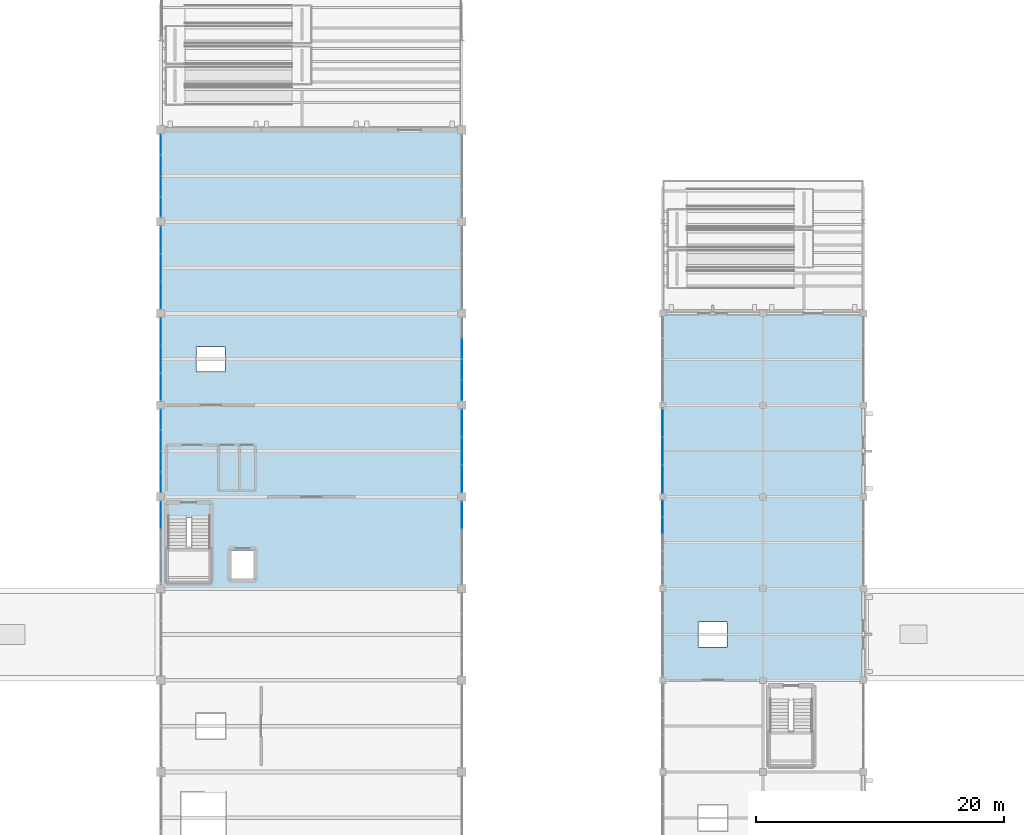
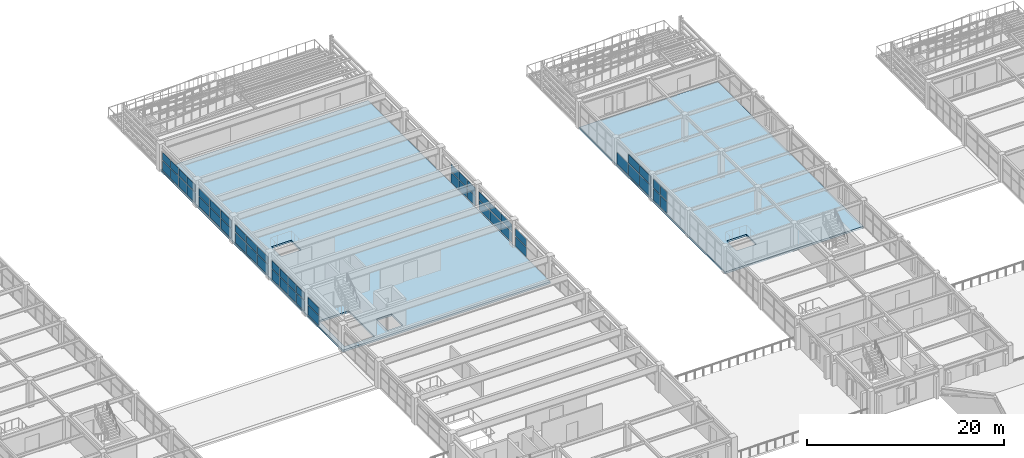
# One storey, part 97 of 121: 53 plates, 2 slabs, 10 elements without a shape of their own.
"""IFC4 building model written with IfcOpenShell, lengths in metres."""

from ifc_helpers import new_model, si_unit, direction, frame, origin, origin_2d, place, context, subcontext, project, spatial, polyline, rectangle, outline, extrude, material, layer, layer_set, type_object, element, aggregate, save


model = new_model("IFC4")

# Units and contexts
model_context = context("Model", 3, precision=1e-05, world=origin(), true_north=direction((0.0, 1.0)))
body_context = subcontext(model_context, "Body", "Model", "MODEL_VIEW")
ifc_project = project(units=[si_unit("LENGTHUNIT", "METRE"), si_unit("AREAUNIT", "SQUARE_METRE"), si_unit("VOLUMEUNIT", "CUBIC_METRE"), si_unit("PLANEANGLEUNIT", "RADIAN"), si_unit("MASSUNIT", "GRAM", prefix="KILO")], contexts=[model_context])

# Site, building, storey
site_placement = place(None, origin())
site = spatial("IfcSite", under=ifc_project, at=site_placement, CompositionType="ELEMENT")
building_placement = place(site_placement, origin())
building = spatial("IfcBuilding", under=site, at=building_placement, Name="Cimatlan Art Gallery", CompositionType="ELEMENT")
storey_placement = place(building_placement, frame((0.0, 0.0, 10.199951171875)))
storey = spatial("IfcBuildingStorey", under=building, at=storey_placement, Name="L02", CompositionType="ELEMENT", Elevation=10.199951171875)

# Curtain wall, plates
ifc_material_1 = material(Name="Anodised bronze unitised curtain wall")
curtain_wall_type_1 = type_object("IfcCurtainWallType", Name="CW-V-06842X02868-B5", PredefinedType="NOTDEFINED", material=ifc_material_1)
curtain_wall_1_placement = place(storey_placement, origin())
curtain_wall_1 = element("IfcCurtainWall", 1, at=curtain_wall_1_placement, inside=storey, type_object=curtain_wall_type_1, Name="CW-L02-14-08-W", PredefinedType="NOTDEFINED")
ifc_material_2 = material(Name="Low-E insulated double glazing", Category="glass")
ifc_layer_1 = layer(ifc_material_2, 0.028076171875)
ifc_layer_set_1 = layer_set([ifc_layer_1], Name="Low-E insulated double glazing")
plate_type_1 = type_object("IfcPlateType", Name="PNL-1310X1078", PredefinedType="CURTAIN_PANEL", material=ifc_layer_set_1)
plate_1_placement = place(storey_placement, frame((115.39990234375, 65.968505859375, 1.66796875), z_axis=(0.0, 0.0, 1.0), x_axis=(0.0, 1.0, 0.0)))
plate_1 = element("IfcPlate", 2, at=plate_1_placement, type_object=plate_type_1, Name="CW-L02-14-08-W-P42", PredefinedType="CURTAIN_PANEL", context=body_context, shape_type="SweptSolid", body=[
    extrude(rectangle(XDim=1.31005859375, YDim=0.028076171875, at=origin_2d()), origin(), (0.0, 0.0, 1.0), 1.077880859375),
])
plate_2_placement = place(storey_placement, frame((115.39990234375, 67.3369140625, 1.66796875), z_axis=(0.0, 0.0, 1.0), x_axis=(0.0, 1.0, 0.0)))
plate_2 = element("IfcPlate", 3, at=plate_2_placement, type_object=plate_type_1, Name="CW-L02-14-08-W-P52", PredefinedType="CURTAIN_PANEL", context=body_context, shape_type="SweptSolid", body=[
    extrude(rectangle(XDim=1.31005859375, YDim=0.028076171875, at=origin_2d()), origin(), (0.0, 0.0, 1.0), 1.077880859375),
])
ifc_layer_2 = layer(ifc_material_2, 0.028076171875)
ifc_layer_set_2 = layer_set([ifc_layer_2], Name="Low-E insulated double glazing")
plate_type_2 = type_object("IfcPlateType", Name="PNL-1310X1422", PredefinedType="CURTAIN_PANEL", material=ifc_layer_set_2)
plate_3_placement = place(storey_placement, frame((115.39990234375, 65.968505859375, 0.1220703125), z_axis=(0.0, 0.0, 1.0), x_axis=(0.0, 1.0, 0.0)))
plate_3 = element("IfcPlate", 4, at=plate_3_placement, type_object=plate_type_2, Name="CW-L02-14-08-W-P41", PredefinedType="CURTAIN_PANEL", context=body_context, shape_type="SweptSolid", body=[
    extrude(rectangle(XDim=1.31005859375, YDim=0.028076171875, at=origin_2d()), origin(), (0.0, 0.0, 1.0), 1.422119140625),
])
plate_4_placement = place(storey_placement, frame((115.39990234375, 67.3369140625, 0.1220703125), z_axis=(0.0, 0.0, 1.0), x_axis=(0.0, 1.0, 0.0)))
plate_4 = element("IfcPlate", 5, at=plate_4_placement, type_object=plate_type_2, Name="CW-L02-14-08-W-P51", PredefinedType="CURTAIN_PANEL", context=body_context, shape_type="SweptSolid", body=[
    extrude(rectangle(XDim=1.31005859375, YDim=0.028076171875, at=origin_2d()), origin(), (0.0, 0.0, 1.0), 1.422119140625),
])
aggregate(curtain_wall_1, [plate_3, plate_1, plate_4, plate_2])

curtain_wall_type_2 = type_object("IfcCurtainWallType", Name="CW-V-06692X02464-B4", PredefinedType="NOTDEFINED", material=ifc_material_1)
curtain_wall_2_placement = place(storey_placement, origin())
curtain_wall_2 = element("IfcCurtainWall", 6, at=curtain_wall_2_placement, inside=storey, type_object=curtain_wall_type_2, Name="CW-L02-09-12-W", PredefinedType="NOTDEFINED")
ifc_layer_3 = layer(ifc_material_2, 0.028076171875)
ifc_layer_set_3 = layer_set([ifc_layer_3], Name="Low-E insulated double glazing")
plate_type_3 = type_object("IfcPlateType", Name="PNL-1615X0900", PredefinedType="CURTAIN_PANEL", material=ifc_layer_set_3)
plate_5_placement = place(storey_placement, frame((74.89990234375, 91.6904296875, 1.44189453125), z_axis=(0.0, 0.0, 1.0), x_axis=(0.0, 1.0, 0.0)))
plate_5 = element("IfcPlate", 7, at=plate_5_placement, type_object=plate_type_3, Name="CW-L02-09-12-W-P12", PredefinedType="CURTAIN_PANEL", context=body_context, shape_type="SweptSolid", body=[
    extrude(rectangle(XDim=1.614990234375, YDim=0.028076171875, at=origin_2d()), origin(), (0.0, 0.0, 1.0), 0.89990234375),
])
plate_6_placement = place(storey_placement, frame((74.89990234375, 93.363525390625, 1.44189453125), z_axis=(0.0, 0.0, 1.0), x_axis=(0.0, 1.0, 0.0)))
plate_6 = element("IfcPlate", 8, at=plate_6_placement, type_object=plate_type_3, Name="CW-L02-09-12-W-P22", PredefinedType="CURTAIN_PANEL", context=body_context, shape_type="SweptSolid", body=[
    extrude(rectangle(XDim=1.614990234375, YDim=0.028076171875, at=origin_2d()), origin(), (0.0, 0.0, 1.0), 0.89990234375),
])
plate_7_placement = place(storey_placement, frame((74.89990234375, 95.03662109375, 1.44189453125), z_axis=(0.0, 0.0, 1.0), x_axis=(0.0, 1.0, 0.0)))
plate_7 = element("IfcPlate", 9, at=plate_7_placement, type_object=plate_type_3, Name="CW-L02-09-12-W-P32", PredefinedType="CURTAIN_PANEL", context=body_context, shape_type="SweptSolid", body=[
    extrude(rectangle(XDim=1.614990234375, YDim=0.028076171875, at=origin_2d()), origin(), (0.0, 0.0, 1.0), 0.89990234375),
])
plate_8_placement = place(storey_placement, frame((74.89990234375, 96.70947265625, 1.44189453125), z_axis=(0.0, 0.0, 1.0), x_axis=(0.0, 1.0, 0.0)))
plate_8 = element("IfcPlate", 10, at=plate_8_placement, type_object=plate_type_3, Name="CW-L02-09-12-W-P42", PredefinedType="CURTAIN_PANEL", context=body_context, shape_type="SweptSolid", body=[
    extrude(rectangle(XDim=1.614990234375, YDim=0.028076171875, at=origin_2d()), origin(), (0.0, 0.0, 1.0), 0.89990234375),
])

curtain_wall_type_3 = type_object("IfcCurtainWallType", Name="CW-V-06692X02494-B4", PredefinedType="NOTDEFINED", material=ifc_material_1)
curtain_wall_3_placement = place(storey_placement, origin())
curtain_wall_3 = element("IfcCurtainWall", 11, at=curtain_wall_3_placement, inside=storey, type_object=curtain_wall_type_3, Name="CW-L02-11-10-E", PredefinedType="NOTDEFINED")
ifc_layer_4 = layer(ifc_material_2, 0.028076171875)
ifc_layer_set_4 = layer_set([ifc_layer_4], Name="Low-E insulated double glazing")
plate_type_4 = type_object("IfcPlateType", Name="PNL-1615X0913", PredefinedType="CURTAIN_PANEL", material=ifc_layer_set_4)
plate_9_placement = place(storey_placement, frame((99.199951171875, 80.236572265625, 1.458740234375), z_axis=(0.0, 0.0, 1.0), x_axis=(0.0, -1.0, 0.0)))
plate_9 = element("IfcPlate", 12, at=plate_9_placement, type_object=plate_type_4, Name="CW-L02-11-10-E-P22", PredefinedType="CURTAIN_PANEL", context=body_context, shape_type="SweptSolid", body=[
    extrude(rectangle(XDim=1.614990234375, YDim=0.028076171875, at=origin_2d()), origin(), (0.0, 0.0, 1.0), 0.9130859375),
])
plate_10_placement = place(storey_placement, frame((99.199951171875, 78.5634765625, 1.458740234375), z_axis=(0.0, 0.0, 1.0), x_axis=(0.0, -1.0, 0.0)))
plate_10 = element("IfcPlate", 13, at=plate_10_placement, type_object=plate_type_4, Name="CW-L02-11-10-E-P32", PredefinedType="CURTAIN_PANEL", context=body_context, shape_type="SweptSolid", body=[
    extrude(rectangle(XDim=1.614990234375, YDim=0.028076171875, at=origin_2d()), origin(), (0.0, 0.0, 1.0), 0.9130859375),
])
plate_11_placement = place(storey_placement, frame((99.199951171875, 76.890380859375, 1.458740234375), z_axis=(0.0, 0.0, 1.0), x_axis=(0.0, -1.0, 0.0)))
plate_11 = element("IfcPlate", 14, at=plate_11_placement, type_object=plate_type_4, Name="CW-L02-11-10-E-P42", PredefinedType="CURTAIN_PANEL", context=body_context, shape_type="SweptSolid", body=[
    extrude(rectangle(XDim=1.614990234375, YDim=0.028076171875, at=origin_2d()), origin(), (0.0, 0.0, 1.0), 0.9130859375),
])

curtain_wall_type_4 = type_object("IfcCurtainWallType", Name="CW-V-06692X02509-B4", PredefinedType="NOTDEFINED", material=ifc_material_1)
curtain_wall_4_placement = place(storey_placement, origin())
curtain_wall_4 = element("IfcCurtainWall", 15, at=curtain_wall_4_placement, inside=storey, type_object=curtain_wall_type_4, Name="CW-L02-09-09-W", PredefinedType="NOTDEFINED")
ifc_layer_5 = layer(ifc_material_2, 0.028076171875)
ifc_layer_set_5 = layer_set([ifc_layer_5], Name="Low-E insulated double glazing")
plate_type_5 = type_object("IfcPlateType", Name="PNL-1615X0920", PredefinedType="CURTAIN_PANEL", material=ifc_layer_set_5)
plate_12_placement = place(storey_placement, frame((74.89990234375, 69.490478515625, 1.467041015625), z_axis=(0.0, 0.0, 1.0), x_axis=(0.0, 1.0, 0.0)))
plate_12 = element("IfcPlate", 16, at=plate_12_placement, type_object=plate_type_5, Name="CW-L02-09-09-W-P12", PredefinedType="CURTAIN_PANEL", context=body_context, shape_type="SweptSolid", body=[
    extrude(rectangle(XDim=1.614990234375, YDim=0.028076171875, at=origin_2d()), origin(), (0.0, 0.0, 1.0), 0.919921875),
])
plate_13_placement = place(storey_placement, frame((74.89990234375, 71.16357421875, 1.467041015625), z_axis=(0.0, 0.0, 1.0), x_axis=(0.0, 1.0, 0.0)))
plate_13 = element("IfcPlate", 17, at=plate_13_placement, type_object=plate_type_5, Name="CW-L02-09-09-W-P22", PredefinedType="CURTAIN_PANEL", context=body_context, shape_type="SweptSolid", body=[
    extrude(rectangle(XDim=1.614990234375, YDim=0.028076171875, at=origin_2d()), origin(), (0.0, 0.0, 1.0), 0.919921875),
])
plate_14_placement = place(storey_placement, frame((74.89990234375, 72.83642578125, 1.467041015625), z_axis=(0.0, 0.0, 1.0), x_axis=(0.0, 1.0, 0.0)))
plate_14 = element("IfcPlate", 18, at=plate_14_placement, type_object=plate_type_5, Name="CW-L02-09-09-W-P32", PredefinedType="CURTAIN_PANEL", context=body_context, shape_type="SweptSolid", body=[
    extrude(rectangle(XDim=1.614990234375, YDim=0.028076171875, at=origin_2d()), origin(), (0.0, 0.0, 1.0), 0.919921875),
])
plate_15_placement = place(storey_placement, frame((74.89990234375, 74.509521484375, 1.467041015625), z_axis=(0.0, 0.0, 1.0), x_axis=(0.0, 1.0, 0.0)))
plate_15 = element("IfcPlate", 19, at=plate_15_placement, type_object=plate_type_5, Name="CW-L02-09-09-W-P42", PredefinedType="CURTAIN_PANEL", context=body_context, shape_type="SweptSolid", body=[
    extrude(rectangle(XDim=1.614990234375, YDim=0.028076171875, at=origin_2d()), origin(), (0.0, 0.0, 1.0), 0.919921875),
])

# Plate
ifc_layer_6 = layer(ifc_material_2, 0.028076171875)
ifc_layer_set_6 = layer_set([ifc_layer_6], Name="Low-E insulated double glazing")
plate_type_6 = type_object("IfcPlateType", Name="PNL-1615X1196", PredefinedType="CURTAIN_PANEL", material=ifc_layer_set_6)
plate_16_placement = place(storey_placement, frame((74.89990234375, 91.6904296875, 0.1220703125), z_axis=(0.0, 0.0, 1.0), x_axis=(0.0, 1.0, 0.0)))
plate_16 = element("IfcPlate", 20, at=plate_16_placement, type_object=plate_type_6, Name="CW-L02-09-12-W-P11", PredefinedType="CURTAIN_PANEL", context=body_context, shape_type="SweptSolid", body=[
    extrude(rectangle(XDim=1.614990234375, YDim=0.028076171875, at=origin_2d()), origin(), (0.0, 0.0, 1.0), 1.196044921875),
])

plate_17_placement = place(storey_placement, frame((74.89990234375, 93.363525390625, 0.1220703125), z_axis=(0.0, 0.0, 1.0), x_axis=(0.0, 1.0, 0.0)))
plate_17 = element("IfcPlate", 21, at=plate_17_placement, type_object=plate_type_6, Name="CW-L02-09-12-W-P21", PredefinedType="CURTAIN_PANEL", context=body_context, shape_type="SweptSolid", body=[
    extrude(rectangle(XDim=1.614990234375, YDim=0.028076171875, at=origin_2d()), origin(), (0.0, 0.0, 1.0), 1.196044921875),
])

plate_18_placement = place(storey_placement, frame((74.89990234375, 95.03662109375, 0.1220703125), z_axis=(0.0, 0.0, 1.0), x_axis=(0.0, 1.0, 0.0)))
plate_18 = element("IfcPlate", 22, at=plate_18_placement, type_object=plate_type_6, Name="CW-L02-09-12-W-P31", PredefinedType="CURTAIN_PANEL", context=body_context, shape_type="SweptSolid", body=[
    extrude(rectangle(XDim=1.614990234375, YDim=0.028076171875, at=origin_2d()), origin(), (0.0, 0.0, 1.0), 1.196044921875),
])

plate_19_placement = place(storey_placement, frame((74.89990234375, 96.70947265625, 0.1220703125), z_axis=(0.0, 0.0, 1.0), x_axis=(0.0, 1.0, 0.0)))
plate_19 = element("IfcPlate", 23, at=plate_19_placement, type_object=plate_type_6, Name="CW-L02-09-12-W-P41", PredefinedType="CURTAIN_PANEL", context=body_context, shape_type="SweptSolid", body=[
    extrude(rectangle(XDim=1.614990234375, YDim=0.028076171875, at=origin_2d()), origin(), (0.0, 0.0, 1.0), 1.196044921875),
])

aggregate(curtain_wall_2, [plate_16, plate_5, plate_17, plate_6, plate_18, plate_7, plate_19, plate_8])

ifc_layer_7 = layer(ifc_material_2, 0.028076171875)
ifc_layer_set_7 = layer_set([ifc_layer_7], Name="Low-E insulated double glazing")
plate_type_7 = type_object("IfcPlateType", Name="PNL-1615X1213", PredefinedType="CURTAIN_PANEL", material=ifc_layer_set_7)
plate_20_placement = place(storey_placement, frame((99.199951171875, 80.236572265625, 0.121826171875), z_axis=(0.0, 0.0, 1.0), x_axis=(0.0, -1.0, 0.0)))
plate_20 = element("IfcPlate", 24, at=plate_20_placement, type_object=plate_type_7, Name="CW-L02-11-10-E-P21", PredefinedType="CURTAIN_PANEL", context=body_context, shape_type="SweptSolid", body=[
    extrude(rectangle(XDim=1.614990234375, YDim=0.028076171875, at=origin_2d()), origin(), (0.0, 0.0, 1.0), 1.212890625),
])

plate_21_placement = place(storey_placement, frame((99.199951171875, 78.5634765625, 0.121826171875), z_axis=(0.0, 0.0, 1.0), x_axis=(0.0, -1.0, 0.0)))
plate_21 = element("IfcPlate", 25, at=plate_21_placement, type_object=plate_type_7, Name="CW-L02-11-10-E-P31", PredefinedType="CURTAIN_PANEL", context=body_context, shape_type="SweptSolid", body=[
    extrude(rectangle(XDim=1.614990234375, YDim=0.028076171875, at=origin_2d()), origin(), (0.0, 0.0, 1.0), 1.212890625),
])

plate_22_placement = place(storey_placement, frame((99.199951171875, 76.890380859375, 0.121826171875), z_axis=(0.0, 0.0, 1.0), x_axis=(0.0, -1.0, 0.0)))
plate_22 = element("IfcPlate", 26, at=plate_22_placement, type_object=plate_type_7, Name="CW-L02-11-10-E-P41", PredefinedType="CURTAIN_PANEL", context=body_context, shape_type="SweptSolid", body=[
    extrude(rectangle(XDim=1.614990234375, YDim=0.028076171875, at=origin_2d()), origin(), (0.0, 0.0, 1.0), 1.212890625),
])

aggregate(curtain_wall_3, [plate_20, plate_9, plate_21, plate_10, plate_22, plate_11])

ifc_layer_8 = layer(ifc_material_2, 0.028076171875)
ifc_layer_set_8 = layer_set([ifc_layer_8], Name="Low-E insulated double glazing")
plate_type_8 = type_object("IfcPlateType", Name="PNL-1615X1221", PredefinedType="CURTAIN_PANEL", material=ifc_layer_set_8)
plate_23_placement = place(storey_placement, frame((74.89990234375, 69.490478515625, 0.1220703125), z_axis=(0.0, 0.0, 1.0), x_axis=(0.0, 1.0, 0.0)))
plate_23 = element("IfcPlate", 27, at=plate_23_placement, type_object=plate_type_8, Name="CW-L02-09-09-W-P11", PredefinedType="CURTAIN_PANEL", context=body_context, shape_type="SweptSolid", body=[
    extrude(rectangle(XDim=1.614990234375, YDim=0.028076171875, at=origin_2d()), origin(), (0.0, 0.0, 1.0), 1.220947265625),
])

plate_24_placement = place(storey_placement, frame((74.89990234375, 71.16357421875, 0.1220703125), z_axis=(0.0, 0.0, 1.0), x_axis=(0.0, 1.0, 0.0)))
plate_24 = element("IfcPlate", 28, at=plate_24_placement, type_object=plate_type_8, Name="CW-L02-09-09-W-P21", PredefinedType="CURTAIN_PANEL", context=body_context, shape_type="SweptSolid", body=[
    extrude(rectangle(XDim=1.614990234375, YDim=0.028076171875, at=origin_2d()), origin(), (0.0, 0.0, 1.0), 1.220947265625),
])

plate_25_placement = place(storey_placement, frame((74.89990234375, 72.83642578125, 0.1220703125), z_axis=(0.0, 0.0, 1.0), x_axis=(0.0, 1.0, 0.0)))
plate_25 = element("IfcPlate", 29, at=plate_25_placement, type_object=plate_type_8, Name="CW-L02-09-09-W-P31", PredefinedType="CURTAIN_PANEL", context=body_context, shape_type="SweptSolid", body=[
    extrude(rectangle(XDim=1.614990234375, YDim=0.028076171875, at=origin_2d()), origin(), (0.0, 0.0, 1.0), 1.220947265625),
])

plate_26_placement = place(storey_placement, frame((74.89990234375, 74.509521484375, 0.1220703125), z_axis=(0.0, 0.0, 1.0), x_axis=(0.0, 1.0, 0.0)))
plate_26 = element("IfcPlate", 30, at=plate_26_placement, type_object=plate_type_8, Name="CW-L02-09-09-W-P41", PredefinedType="CURTAIN_PANEL", context=body_context, shape_type="SweptSolid", body=[
    extrude(rectangle(XDim=1.614990234375, YDim=0.028076171875, at=origin_2d()), origin(), (0.0, 0.0, 1.0), 1.220947265625),
])

aggregate(curtain_wall_4, [plate_23, plate_12, plate_24, plate_13, plate_25, plate_14, plate_26, plate_15])

# Curtain wall, plate
curtain_wall_type_5 = type_object("IfcCurtainWallType", Name="CW-V-06692X02434-B3", PredefinedType="NOTDEFINED", material=ifc_material_1)
curtain_wall_5_placement = place(storey_placement, origin())
curtain_wall_5 = element("IfcCurtainWall", 31, at=curtain_wall_5_placement, inside=storey, type_object=curtain_wall_type_5, Name="CW-L02-09-08-W", PredefinedType="NOTDEFINED")
ifc_layer_9 = layer(ifc_material_2, 0.028076171875)
ifc_layer_set_9 = layer_set([ifc_layer_9], Name="Low-E insulated double glazing")
plate_type_9 = type_object("IfcPlateType", Name="PNL-2173X0887", PredefinedType="CURTAIN_PANEL", material=ifc_layer_set_9)
plate_27_placement = place(storey_placement, frame((74.89990234375, 66.83056640625, 1.42529296875), z_axis=(0.0, 0.0, 1.0), x_axis=(0.0, 1.0, 0.0)))
plate_27 = element("IfcPlate", 32, at=plate_27_placement, type_object=plate_type_9, Name="CW-L02-09-08-W-P32", PredefinedType="CURTAIN_PANEL", context=body_context, shape_type="SweptSolid", body=[
    extrude(rectangle(XDim=2.173095703125, YDim=0.028076171875, at=origin_2d()), origin(), (0.0, 0.0, 1.0), 0.886962890625),
])

curtain_wall_6_placement = place(storey_placement, origin())
curtain_wall_6 = element("IfcCurtainWall", 33, at=curtain_wall_6_placement, inside=storey, type_object=curtain_wall_type_5, Name="CW-L02-11-08-E", PredefinedType="NOTDEFINED")
plate_28_placement = place(storey_placement, frame((99.199951171875, 66.83056640625, 1.42529296875), z_axis=(0.0, 0.0, 1.0), x_axis=(0.0, -1.0, 0.0)))
plate_28 = element("IfcPlate", 34, at=plate_28_placement, type_object=plate_type_9, Name="CW-L02-11-08-E-P12", PredefinedType="CURTAIN_PANEL", context=body_context, shape_type="SweptSolid", body=[
    extrude(rectangle(XDim=2.173095703125, YDim=0.028076171875, at=origin_2d()), origin(), (0.0, 0.0, 1.0), 0.886962890625),
])

# Curtain wall, plates
curtain_wall_type_6 = type_object("IfcCurtainWallType", Name="CW-V-06692X02479-B3", PredefinedType="NOTDEFINED", material=ifc_material_1)
curtain_wall_7_placement = place(storey_placement, origin())
curtain_wall_7 = element("IfcCurtainWall", 35, at=curtain_wall_7_placement, inside=storey, type_object=curtain_wall_type_6, Name="CW-L02-09-11-W", PredefinedType="NOTDEFINED")
ifc_layer_10 = layer(ifc_material_2, 0.028076171875)
ifc_layer_set_10 = layer_set([ifc_layer_10], Name="Low-E insulated double glazing")
plate_type_10 = type_object("IfcPlateType", Name="PNL-2173X0907", PredefinedType="CURTAIN_PANEL", material=ifc_layer_set_10)
plate_29_placement = place(storey_placement, frame((74.89990234375, 84.5693359375, 1.4501953125), z_axis=(0.0, 0.0, 1.0), x_axis=(0.0, 1.0, 0.0)))
plate_29 = element("IfcPlate", 36, at=plate_29_placement, type_object=plate_type_10, Name="CW-L02-09-11-W-P12", PredefinedType="CURTAIN_PANEL", context=body_context, shape_type="SweptSolid", body=[
    extrude(rectangle(XDim=2.173095703125, YDim=0.028076171875, at=origin_2d()), origin(), (0.0, 0.0, 1.0), 0.906982421875),
])
plate_30_placement = place(storey_placement, frame((74.89990234375, 86.800048828125, 1.4501953125), z_axis=(0.0, 0.0, 1.0), x_axis=(0.0, 1.0, 0.0)))
plate_30 = element("IfcPlate", 37, at=plate_30_placement, type_object=plate_type_10, Name="CW-L02-09-11-W-P22", PredefinedType="CURTAIN_PANEL", context=body_context, shape_type="SweptSolid", body=[
    extrude(rectangle(XDim=2.173095703125, YDim=0.028076171875, at=origin_2d()), origin(), (0.0, 0.0, 1.0), 0.906982421875),
])
plate_31_placement = place(storey_placement, frame((74.89990234375, 89.03076171875, 1.4501953125), z_axis=(0.0, 0.0, 1.0), x_axis=(0.0, 1.0, 0.0)))
plate_31 = element("IfcPlate", 38, at=plate_31_placement, type_object=plate_type_10, Name="CW-L02-09-11-W-P32", PredefinedType="CURTAIN_PANEL", context=body_context, shape_type="SweptSolid", body=[
    extrude(rectangle(XDim=2.173095703125, YDim=0.028076171875, at=origin_2d()), origin(), (0.0, 0.0, 1.0), 0.906982421875),
])

curtain_wall_type_7 = type_object("IfcCurtainWallType", Name="CW-V-06692X02494-B3", PredefinedType="NOTDEFINED", material=ifc_material_1)
curtain_wall_8_placement = place(storey_placement, origin())
curtain_wall_8 = element("IfcCurtainWall", 39, at=curtain_wall_8_placement, inside=storey, type_object=curtain_wall_type_7, Name="CW-L02-09-10-W", PredefinedType="NOTDEFINED")
ifc_layer_11 = layer(ifc_material_2, 0.028076171875)
ifc_layer_set_11 = layer_set([ifc_layer_11], Name="Low-E insulated double glazing")
plate_type_11 = type_object("IfcPlateType", Name="PNL-2173X0913", PredefinedType="CURTAIN_PANEL", material=ifc_layer_set_11)
plate_32_placement = place(storey_placement, frame((74.89990234375, 77.16943359375, 1.458740234375), z_axis=(0.0, 0.0, 1.0), x_axis=(0.0, 1.0, 0.0)))
plate_32 = element("IfcPlate", 40, at=plate_32_placement, type_object=plate_type_11, Name="CW-L02-09-10-W-P12", PredefinedType="CURTAIN_PANEL", context=body_context, shape_type="SweptSolid", body=[
    extrude(rectangle(XDim=2.173095703125, YDim=0.028076171875, at=origin_2d()), origin(), (0.0, 0.0, 1.0), 0.9130859375),
])
plate_33_placement = place(storey_placement, frame((74.89990234375, 79.39990234375, 1.458740234375), z_axis=(0.0, 0.0, 1.0), x_axis=(0.0, 1.0, 0.0)))
plate_33 = element("IfcPlate", 41, at=plate_33_placement, type_object=plate_type_11, Name="CW-L02-09-10-W-P22", PredefinedType="CURTAIN_PANEL", context=body_context, shape_type="SweptSolid", body=[
    extrude(rectangle(XDim=2.173095703125, YDim=0.028076171875, at=origin_2d()), origin(), (0.0, 0.0, 1.0), 0.9130859375),
])
plate_34_placement = place(storey_placement, frame((74.89990234375, 81.630615234375, 1.458740234375), z_axis=(0.0, 0.0, 1.0), x_axis=(0.0, 1.0, 0.0)))
plate_34 = element("IfcPlate", 42, at=plate_34_placement, type_object=plate_type_11, Name="CW-L02-09-10-W-P32", PredefinedType="CURTAIN_PANEL", context=body_context, shape_type="SweptSolid", body=[
    extrude(rectangle(XDim=2.173095703125, YDim=0.028076171875, at=origin_2d()), origin(), (0.0, 0.0, 1.0), 0.9130859375),
])

curtain_wall_type_8 = type_object("IfcCurtainWallType", Name="CW-V-06692X02509-B3", PredefinedType="NOTDEFINED", material=ifc_material_1)
curtain_wall_9_placement = place(storey_placement, origin())
curtain_wall_9 = element("IfcCurtainWall", 43, at=curtain_wall_9_placement, inside=storey, type_object=curtain_wall_type_8, Name="CW-L02-11-09-E", PredefinedType="NOTDEFINED")
ifc_layer_12 = layer(ifc_material_2, 0.028076171875)
ifc_layer_set_12 = layer_set([ifc_layer_12], Name="Low-E insulated double glazing")
plate_type_12 = type_object("IfcPlateType", Name="PNL-2173X0920", PredefinedType="CURTAIN_PANEL", material=ifc_layer_set_12)
plate_35_placement = place(storey_placement, frame((99.199951171875, 74.230712890625, 1.467041015625), z_axis=(0.0, 0.0, 1.0), x_axis=(0.0, -1.0, 0.0)))
plate_35 = element("IfcPlate", 44, at=plate_35_placement, type_object=plate_type_12, Name="CW-L02-11-09-E-P12", PredefinedType="CURTAIN_PANEL", context=body_context, shape_type="SweptSolid", body=[
    extrude(rectangle(XDim=2.173095703125, YDim=0.028076171875, at=origin_2d()), origin(), (0.0, 0.0, 1.0), 0.919921875),
])
plate_36_placement = place(storey_placement, frame((99.199951171875, 72.0, 1.467041015625), z_axis=(0.0, 0.0, 1.0), x_axis=(0.0, -1.0, 0.0)))
plate_36 = element("IfcPlate", 45, at=plate_36_placement, type_object=plate_type_12, Name="CW-L02-11-09-E-P22", PredefinedType="CURTAIN_PANEL", context=body_context, shape_type="SweptSolid", body=[
    extrude(rectangle(XDim=2.173095703125, YDim=0.028076171875, at=origin_2d()), origin(), (0.0, 0.0, 1.0), 0.919921875),
])
plate_37_placement = place(storey_placement, frame((99.199951171875, 69.769287109375, 1.467041015625), z_axis=(0.0, 0.0, 1.0), x_axis=(0.0, -1.0, 0.0)))
plate_37 = element("IfcPlate", 46, at=plate_37_placement, type_object=plate_type_12, Name="CW-L02-11-09-E-P32", PredefinedType="CURTAIN_PANEL", context=body_context, shape_type="SweptSolid", body=[
    extrude(rectangle(XDim=2.173095703125, YDim=0.028076171875, at=origin_2d()), origin(), (0.0, 0.0, 1.0), 0.919921875),
])

# Plate
ifc_layer_13 = layer(ifc_material_2, 0.028076171875)
ifc_layer_set_13 = layer_set([ifc_layer_13], Name="Low-E insulated double glazing")
plate_type_13 = type_object("IfcPlateType", Name="PNL-2173X1179", PredefinedType="CURTAIN_PANEL", material=ifc_layer_set_13)
plate_38_placement = place(storey_placement, frame((74.89990234375, 66.83056640625, 0.1220703125), z_axis=(0.0, 0.0, 1.0), x_axis=(0.0, 1.0, 0.0)))
plate_38 = element("IfcPlate", 47, at=plate_38_placement, type_object=plate_type_13, Name="CW-L02-09-08-W-P31", PredefinedType="CURTAIN_PANEL", context=body_context, shape_type="SweptSolid", body=[
    extrude(rectangle(XDim=2.173095703125, YDim=0.028076171875, at=origin_2d()), origin(), (0.0, 0.0, 1.0), 1.178955078125),
])

aggregate(curtain_wall_5, [plate_38, plate_27])

plate_39_placement = place(storey_placement, frame((99.199951171875, 66.83056640625, 0.1220703125), z_axis=(0.0, 0.0, 1.0), x_axis=(0.0, -1.0, 0.0)))
plate_39 = element("IfcPlate", 48, at=plate_39_placement, type_object=plate_type_13, Name="CW-L02-11-08-E-P11", PredefinedType="CURTAIN_PANEL", context=body_context, shape_type="SweptSolid", body=[
    extrude(rectangle(XDim=2.173095703125, YDim=0.028076171875, at=origin_2d()), origin(), (0.0, 0.0, 1.0), 1.178955078125),
])

aggregate(curtain_wall_6, [plate_39, plate_28])

ifc_layer_14 = layer(ifc_material_2, 0.028076171875)
ifc_layer_set_14 = layer_set([ifc_layer_14], Name="Low-E insulated double glazing")
plate_type_14 = type_object("IfcPlateType", Name="PNL-2173X1204", PredefinedType="CURTAIN_PANEL", material=ifc_layer_set_14)
plate_40_placement = place(storey_placement, frame((74.89990234375, 84.5693359375, 0.1220703125), z_axis=(0.0, 0.0, 1.0), x_axis=(0.0, 1.0, 0.0)))
plate_40 = element("IfcPlate", 49, at=plate_40_placement, type_object=plate_type_14, Name="CW-L02-09-11-W-P11", PredefinedType="CURTAIN_PANEL", context=body_context, shape_type="SweptSolid", body=[
    extrude(rectangle(XDim=2.173095703125, YDim=0.028076171875, at=origin_2d()), origin(), (0.0, 0.0, 1.0), 1.2041015625),
])

plate_41_placement = place(storey_placement, frame((74.89990234375, 86.800048828125, 0.1220703125), z_axis=(0.0, 0.0, 1.0), x_axis=(0.0, 1.0, 0.0)))
plate_41 = element("IfcPlate", 50, at=plate_41_placement, type_object=plate_type_14, Name="CW-L02-09-11-W-P21", PredefinedType="CURTAIN_PANEL", context=body_context, shape_type="SweptSolid", body=[
    extrude(rectangle(XDim=2.173095703125, YDim=0.028076171875, at=origin_2d()), origin(), (0.0, 0.0, 1.0), 1.2041015625),
])

plate_42_placement = place(storey_placement, frame((74.89990234375, 89.03076171875, 0.1220703125), z_axis=(0.0, 0.0, 1.0), x_axis=(0.0, 1.0, 0.0)))
plate_42 = element("IfcPlate", 51, at=plate_42_placement, type_object=plate_type_14, Name="CW-L02-09-11-W-P31", PredefinedType="CURTAIN_PANEL", context=body_context, shape_type="SweptSolid", body=[
    extrude(rectangle(XDim=2.173095703125, YDim=0.028076171875, at=origin_2d()), origin(), (0.0, 0.0, 1.0), 1.2041015625),
])

aggregate(curtain_wall_7, [plate_40, plate_29, plate_41, plate_30, plate_42, plate_31])

ifc_layer_15 = layer(ifc_material_2, 0.028076171875)
ifc_layer_set_15 = layer_set([ifc_layer_15], Name="Low-E insulated double glazing")
plate_type_15 = type_object("IfcPlateType", Name="PNL-2173X1213", PredefinedType="CURTAIN_PANEL", material=ifc_layer_set_15)
plate_43_placement = place(storey_placement, frame((74.89990234375, 77.16943359375, 0.121826171875), z_axis=(0.0, 0.0, 1.0), x_axis=(0.0, 1.0, 0.0)))
plate_43 = element("IfcPlate", 52, at=plate_43_placement, type_object=plate_type_15, Name="CW-L02-09-10-W-P11", PredefinedType="CURTAIN_PANEL", context=body_context, shape_type="SweptSolid", body=[
    extrude(rectangle(XDim=2.173095703125, YDim=0.028076171875, at=origin_2d()), origin(), (0.0, 0.0, 1.0), 1.212890625),
])

plate_44_placement = place(storey_placement, frame((74.89990234375, 79.39990234375, 0.121826171875), z_axis=(0.0, 0.0, 1.0), x_axis=(0.0, 1.0, 0.0)))
plate_44 = element("IfcPlate", 53, at=plate_44_placement, type_object=plate_type_15, Name="CW-L02-09-10-W-P21", PredefinedType="CURTAIN_PANEL", context=body_context, shape_type="SweptSolid", body=[
    extrude(rectangle(XDim=2.173095703125, YDim=0.028076171875, at=origin_2d()), origin(), (0.0, 0.0, 1.0), 1.212890625),
])

plate_45_placement = place(storey_placement, frame((74.89990234375, 81.630615234375, 0.121826171875), z_axis=(0.0, 0.0, 1.0), x_axis=(0.0, 1.0, 0.0)))
plate_45 = element("IfcPlate", 54, at=plate_45_placement, type_object=plate_type_15, Name="CW-L02-09-10-W-P31", PredefinedType="CURTAIN_PANEL", context=body_context, shape_type="SweptSolid", body=[
    extrude(rectangle(XDim=2.173095703125, YDim=0.028076171875, at=origin_2d()), origin(), (0.0, 0.0, 1.0), 1.212890625),
])

aggregate(curtain_wall_8, [plate_43, plate_32, plate_44, plate_33, plate_45, plate_34])

ifc_layer_16 = layer(ifc_material_2, 0.028076171875)
ifc_layer_set_16 = layer_set([ifc_layer_16], Name="Low-E insulated double glazing")
plate_type_16 = type_object("IfcPlateType", Name="PNL-2173X1221", PredefinedType="CURTAIN_PANEL", material=ifc_layer_set_16)
plate_46_placement = place(storey_placement, frame((99.199951171875, 74.230712890625, 0.1220703125), z_axis=(0.0, 0.0, 1.0), x_axis=(0.0, -1.0, 0.0)))
plate_46 = element("IfcPlate", 55, at=plate_46_placement, type_object=plate_type_16, Name="CW-L02-11-09-E-P11", PredefinedType="CURTAIN_PANEL", context=body_context, shape_type="SweptSolid", body=[
    extrude(rectangle(XDim=2.173095703125, YDim=0.028076171875, at=origin_2d()), origin(), (0.0, 0.0, 1.0), 1.220947265625),
])

plate_47_placement = place(storey_placement, frame((99.199951171875, 72.0, 0.1220703125), z_axis=(0.0, 0.0, 1.0), x_axis=(0.0, -1.0, 0.0)))
plate_47 = element("IfcPlate", 56, at=plate_47_placement, type_object=plate_type_16, Name="CW-L02-11-09-E-P21", PredefinedType="CURTAIN_PANEL", context=body_context, shape_type="SweptSolid", body=[
    extrude(rectangle(XDim=2.173095703125, YDim=0.028076171875, at=origin_2d()), origin(), (0.0, 0.0, 1.0), 1.220947265625),
])

plate_48_placement = place(storey_placement, frame((99.199951171875, 69.769287109375, 0.1220703125), z_axis=(0.0, 0.0, 1.0), x_axis=(0.0, -1.0, 0.0)))
plate_48 = element("IfcPlate", 57, at=plate_48_placement, type_object=plate_type_16, Name="CW-L02-11-09-E-P31", PredefinedType="CURTAIN_PANEL", context=body_context, shape_type="SweptSolid", body=[
    extrude(rectangle(XDim=2.173095703125, YDim=0.028076171875, at=origin_2d()), origin(), (0.0, 0.0, 1.0), 1.220947265625),
])

aggregate(curtain_wall_9, [plate_46, plate_35, plate_47, plate_36, plate_48, plate_37])

# Curtain wall, plates
curtain_wall_type_9 = type_object("IfcCurtainWallType", Name="CW-V-06842X02853-B3", PredefinedType="NOTDEFINED", material=ifc_material_1)
curtain_wall_10_placement = place(storey_placement, origin())
curtain_wall_10 = element("IfcCurtainWall", 58, at=curtain_wall_10_placement, inside=storey, type_object=curtain_wall_type_9, Name="CW-L02-14-09-W", PredefinedType="NOTDEFINED")
ifc_layer_17 = layer(ifc_material_2, 0.028076171875)
ifc_layer_set_17 = layer_set([ifc_layer_17], Name="Low-E insulated double glazing")
plate_type_17 = type_object("IfcPlateType", Name="PNL-2223X1071", PredefinedType="CURTAIN_PANEL", material=ifc_layer_set_17)
plate_49_placement = place(storey_placement, frame((115.39990234375, 69.71923828125, 1.65966796875), z_axis=(0.0, 0.0, 1.0), x_axis=(0.0, 1.0, 0.0)))
plate_49 = element("IfcPlate", 59, at=plate_49_placement, type_object=plate_type_17, Name="CW-L02-14-09-W-P12", PredefinedType="CURTAIN_PANEL", context=body_context, shape_type="SweptSolid", body=[
    extrude(rectangle(XDim=2.222900390625, YDim=0.028076171875, at=origin_2d()), origin(), (0.0, 0.0, 1.0), 1.071044921875),
])
plate_50_placement = place(storey_placement, frame((115.39990234375, 72.0, 1.65966796875), z_axis=(0.0, 0.0, 1.0), x_axis=(0.0, 1.0, 0.0)))
plate_50 = element("IfcPlate", 60, at=plate_50_placement, type_object=plate_type_17, Name="CW-L02-14-09-W-P22", PredefinedType="CURTAIN_PANEL", context=body_context, shape_type="SweptSolid", body=[
    extrude(rectangle(XDim=2.222900390625, YDim=0.028076171875, at=origin_2d()), origin(), (0.0, 0.0, 1.0), 1.071044921875),
])
ifc_layer_18 = layer(ifc_material_2, 0.028076171875)
ifc_layer_set_18 = layer_set([ifc_layer_18], Name="Low-E insulated double glazing")
plate_type_18 = type_object("IfcPlateType", Name="PNL-2223X1414", PredefinedType="CURTAIN_PANEL", material=ifc_layer_set_18)
plate_51_placement = place(storey_placement, frame((115.39990234375, 69.71923828125, 0.121826171875), z_axis=(0.0, 0.0, 1.0), x_axis=(0.0, 1.0, 0.0)))
plate_51 = element("IfcPlate", 61, at=plate_51_placement, type_object=plate_type_18, Name="CW-L02-14-09-W-P11", PredefinedType="CURTAIN_PANEL", context=body_context, shape_type="SweptSolid", body=[
    extrude(rectangle(XDim=2.222900390625, YDim=0.028076171875, at=origin_2d()), origin(), (0.0, 0.0, 1.0), 1.4140625),
])
plate_52_placement = place(storey_placement, frame((115.39990234375, 72.0, 0.121826171875), z_axis=(0.0, 0.0, 1.0), x_axis=(0.0, 1.0, 0.0)))
plate_52 = element("IfcPlate", 62, at=plate_52_placement, type_object=plate_type_18, Name="CW-L02-14-09-W-P21", PredefinedType="CURTAIN_PANEL", context=body_context, shape_type="SweptSolid", body=[
    extrude(rectangle(XDim=2.222900390625, YDim=0.028076171875, at=origin_2d()), origin(), (0.0, 0.0, 1.0), 1.4140625),
])
plate_53_placement = place(storey_placement, frame((115.39990234375, 74.28076171875, 0.121826171875), z_axis=(0.0, 0.0, 1.0), x_axis=(0.0, 1.0, 0.0)))
plate_53 = element("IfcPlate", 63, at=plate_53_placement, type_object=plate_type_18, Name="CW-L02-14-09-W-P31", PredefinedType="CURTAIN_PANEL", context=body_context, shape_type="SweptSolid", body=[
    extrude(rectangle(XDim=2.222900390625, YDim=0.028076171875, at=origin_2d()), origin(), (0.0, 0.0, 1.0), 1.4140625),
])
aggregate(curtain_wall_10, [plate_51, plate_49, plate_52, plate_50, plate_53])

# Slabs
ifc_material_3 = material(Name="Concrete C35/45", Category="concrete")
ifc_layer_19 = layer(ifc_material_3, 0.239990234375)
ifc_layer_set_19 = layer_set([ifc_layer_19], Name="Concrete C35/45")
slab_type = type_object("IfcSlabType", Name="SLB-FLR-L02", PredefinedType="FLOOR", material=ifc_layer_set_19)
slab_1_placement = place(storey_placement, frame((0.0, 0.0, -0.239990234375)))
element("IfcSlab", 64, at=slab_1_placement, inside=storey, type_object=slab_type, Name="SLB-L02-B3N", PredefinedType="FLOOR", context=body_context, shape_type="SweptSolid", body=[
    extrude(outline(polyline([(74.89990234375, 60.89990234375), (99.199951171875, 60.89990234375), (99.199951171875, 97.89990234375), (74.89990234375, 97.89990234375), (74.89990234375, 60.89990234375)]), holes=[polyline([(75.39990234375, 61.419921875), (78.919921875, 61.419921875), (78.919921875, 66.64990234375), (75.39990234375, 66.64990234375), (75.39990234375, 61.419921875)]), polyline([(80.610107421875, 61.7099609375), (82.389892578125, 61.7099609375), (82.389892578125, 63.989990234375), (80.610107421875, 63.989990234375), (80.610107421875, 61.7099609375)]), polyline([(77.800048828125, 78.39990234375), (80.10009765625, 78.39990234375), (80.10009765625, 80.39990234375), (77.800048828125, 80.39990234375), (77.800048828125, 78.39990234375)])]), origin(), (0.0, 0.0, 1.0), 0.239990234375),
])
slab_2_placement = place(storey_placement, frame((0.0, 0.0, -0.239990234375)))
element("IfcSlab", 65, at=slab_2_placement, inside=storey, type_object=slab_type, Name="SLB-L02-B4N", PredefinedType="FLOOR", context=body_context, shape_type="SweptSolid", body=[
    extrude(outline(polyline([(115.39990234375, 53.5), (131.60009765625, 53.5), (131.60009765625, 83.10009765625), (115.39990234375, 83.10009765625), (115.39990234375, 53.5)]), holes=[polyline([(118.300048828125, 56.199951171875), (120.60009765625, 56.199951171875), (120.60009765625, 58.199951171875), (118.300048828125, 58.199951171875), (118.300048828125, 56.199951171875)])]), origin(), (0.0, 0.0, 1.0), 0.239990234375),
])

save(model, "model.ifc")
